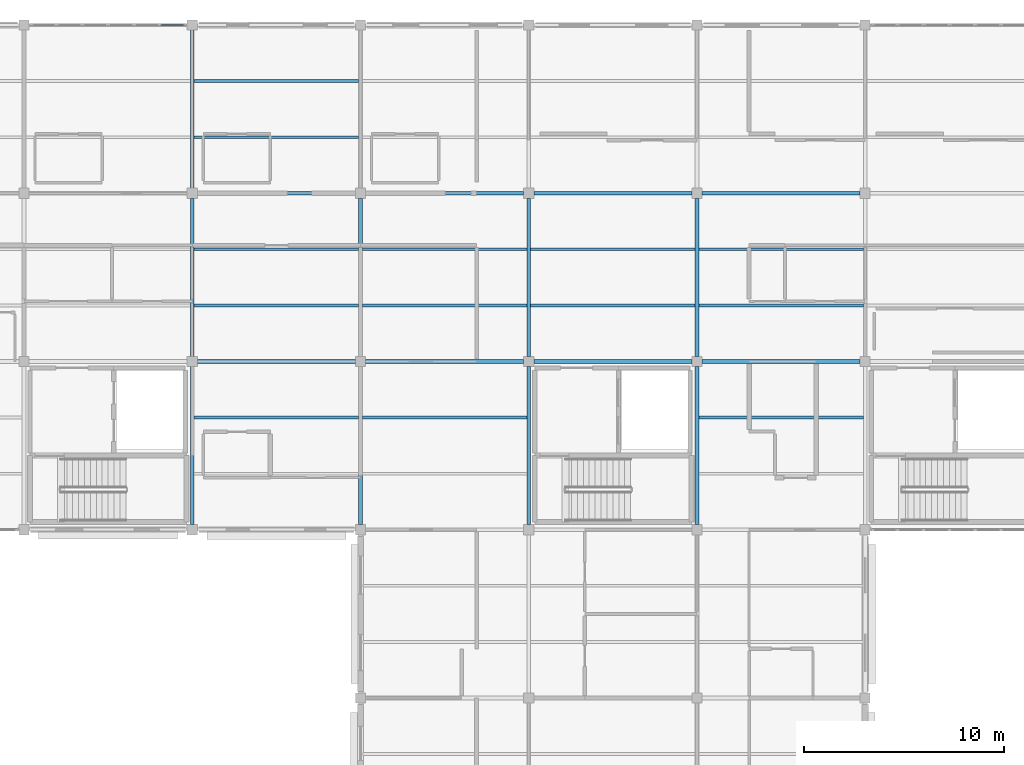
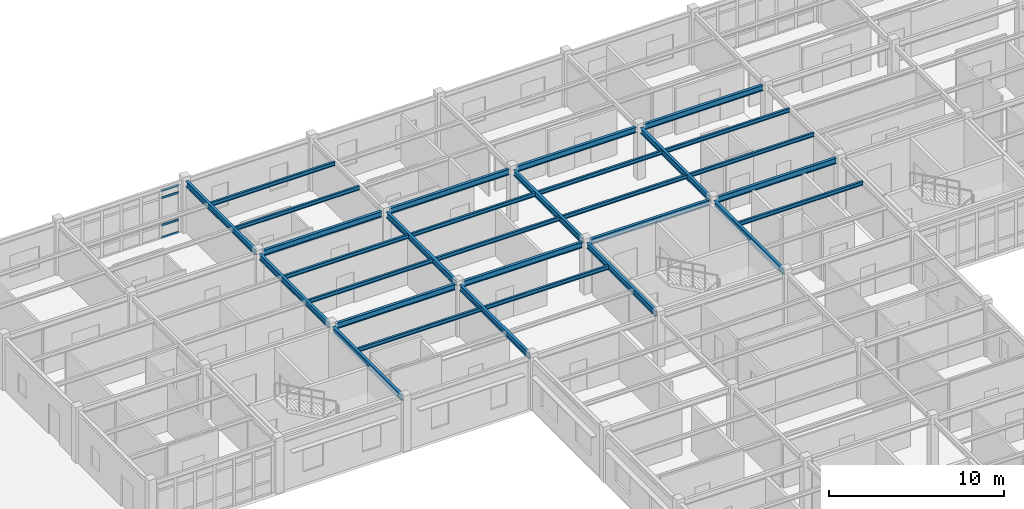
# One storey, part 17 of 53: 30 beams, 4 members, 1 element without a shape of its own.
"""IFC4 building model written with IfcOpenShell, lengths in metres."""

from ifc_helpers import new_model, si_unit, direction, frame, origin, origin_2d, place, context, subcontext, project, spatial, hollow_rectangle, i_section, extrude, material, layer, layer_set, material_profile, profile_set, type_object, element, aggregate, save


model = new_model("IFC4")

# Units and contexts
model_context = context("Model", 3, precision=1e-05, world=origin(), true_north=direction((0.0, 1.0)))
body_context = subcontext(model_context, "Body", "Model", "MODEL_VIEW")
ifc_project = project(units=[si_unit("LENGTHUNIT", "METRE"), si_unit("AREAUNIT", "SQUARE_METRE"), si_unit("VOLUMEUNIT", "CUBIC_METRE"), si_unit("PLANEANGLEUNIT", "RADIAN"), si_unit("MASSUNIT", "GRAM", prefix="KILO")], contexts=[model_context])

# Site, building, storey
site_placement = place(None, origin())
site = spatial("IfcSite", under=ifc_project, at=site_placement, CompositionType="ELEMENT")
building_placement = place(site_placement, origin())
building = spatial("IfcBuilding", under=site, at=building_placement, Name="Bramfleet General Hospital", CompositionType="ELEMENT")
storey_placement = place(building_placement, frame((0.0, 0.0, 26.39990234375)))
storey = spatial("IfcBuildingStorey", under=building, at=storey_placement, Name="L06", CompositionType="ELEMENT", Elevation=26.39990234375)

# Beams
ifc_material_1 = material(Name="Steel S355", Category="steel")
ifc_material_profile_1 = material_profile(ifc_material_1, i_section(OverallWidth=0.135009765625, OverallDepth=0.27001953125, WebThickness=0.006591796875, FlangeThickness=0.01025390625, FilletRadius=0.014892578125, at=origin_2d()), Name="IPE 270")
ifc_profile_set_1 = profile_set([ifc_material_profile_1], Name="Steel S355")
beam_type_1 = type_object("IfcBeamType", Name="BM-IPE270", PredefinedType="JOIST", material=ifc_profile_set_1)
for number, where, z_axis, x_axis, name in (
    (1, (84.090087890625, 98.0, 3.485107421875), (1.0, 0.0, 0.0), (0.0, 1.0, 0.0), "L06 Secondary Joist 10-11-2"),
    (2, (84.090087890625, 103.60009765625, 3.485107421875), (1.0, 0.0, 0.0), (0.0, 1.0, 0.0), "L06 Secondary Joist 10-12-1"),
    (3, (84.090087890625, 106.39990234375, 3.485107421875), (1.0, 0.0, 0.0), (0.0, 1.0, 0.0), "L06 Secondary Joist 10-12-2"),
    (4, (84.090087890625, 112.0, 3.485107421875), (1.0, 0.0, 0.0), (0.0, 1.0, 0.0), "L06 Secondary Joist 10-13-1"),
    (5, (84.090087890625, 114.800048828125, 3.485107421875), (1.0, 0.0, 0.0), (0.0, 1.0, 0.0), "L06 Secondary Joist 10-13-2"),
    (6, (92.489990234375, 98.0, 3.485107421875), (1.0, 0.0, 0.0), (0.0, 1.0, 0.0), "L06 Secondary Joist 11-11-2"),
    (7, (92.489990234375, 103.60009765625, 3.485107421875), (1.0, 0.0, 0.0), (0.0, 1.0, 0.0), "L06 Secondary Joist 11-12-1"),
    (8, (92.489990234375, 106.39990234375, 3.485107421875), (1.0, 0.0, 0.0), (0.0, 1.0, 0.0), "L06 Secondary Joist 11-12-2"),
):
    element("IfcBeam", number, at=place(storey_placement, frame(where, z_axis=z_axis, x_axis=x_axis)), inside=storey, type_object=beam_type_1, Name=name, PredefinedType="JOIST", context=body_context, shape_type="SweptSolid", body=[
        extrude(i_section(OverallWidth=0.135009765625, OverallDepth=0.27001953125, WebThickness=0.006591796875, FlangeThickness=0.01025390625, FilletRadius=0.014892578125, at=origin_2d()), origin(), (0.0, 0.0, 1.0), 8.219970703125),
    ])
for number, where, z_axis, x_axis, name in (
    (9, (100.889892578125, 103.60009765625, 3.485107421875), (1.0, 0.0, 0.0), (0.0, 1.0, 0.0), "L06 Secondary Joist 12-12-1"),
    (10, (100.889892578125, 106.39990234375, 3.485107421875), (1.0, 0.0, 0.0), (0.0, 1.0, 0.0), "L06 Secondary Joist 12-12-2"),
):
    element("IfcBeam", number, at=place(storey_placement, frame(where, z_axis=z_axis, x_axis=x_axis)), inside=storey, type_object=beam_type_1, Name=name, PredefinedType="JOIST", context=body_context, shape_type="SweptSolid", body=[
        extrude(i_section(OverallWidth=0.135009765625, OverallDepth=0.27001953125, WebThickness=0.006591796875, FlangeThickness=0.01025390625, FilletRadius=0.014892578125, at=origin_2d()), origin(), (0.0, 0.0, 1.0), 8.22021484375),
    ])
for number, where, z_axis, x_axis, name in (
    (11, (109.2900390625, 98.0, 3.485107421875), (1.0, 0.0, 0.0), (0.0, 1.0, 0.0), "L06 Secondary Joist 13-11-2"),
    (12, (109.2900390625, 103.60009765625, 3.485107421875), (1.0, 0.0, 0.0), (0.0, 1.0, 0.0), "L06 Secondary Joist 13-12-1"),
    (13, (109.2900390625, 106.39990234375, 3.485107421875), (1.0, 0.0, 0.0), (0.0, 1.0, 0.0), "L06 Secondary Joist 13-12-2"),
):
    element("IfcBeam", number, at=place(storey_placement, frame(where, z_axis=z_axis, x_axis=x_axis)), inside=storey, type_object=beam_type_1, Name=name, PredefinedType="JOIST", context=body_context, shape_type="SweptSolid", body=[
        extrude(i_section(OverallWidth=0.135009765625, OverallDepth=0.27001953125, WebThickness=0.006591796875, FlangeThickness=0.01025390625, FilletRadius=0.014892578125, at=origin_2d()), origin(), (0.0, 0.0, 1.0), 8.219970703125),
    ])
ifc_material_profile_2 = material_profile(ifc_material_1, i_section(OverallWidth=0.179931640625, OverallDepth=0.39990234375, WebThickness=0.008544921875, FlangeThickness=0.013427734375, FilletRadius=0.02099609375, at=origin_2d()), Name="IPE 400")
ifc_profile_set_2 = profile_set([ifc_material_profile_2], Name="Steel S355")
beam_type_2 = type_object("IfcBeamType", Name="BM-IPE400", PredefinedType="BEAM", material=ifc_profile_set_2)
for number, where, z_axis, x_axis, name in (
    (14, (84.25, 100.800048828125, 3.420166015625), (1.0, 0.0, 0.0), (0.0, 1.0, 0.0), "L06 Grid Beam X 10-12"),
    (15, (84.25, 109.199951171875, 3.420166015625), (1.0, 0.0, 0.0), (0.0, 1.0, 0.0), "L06 Grid Beam X 10-13"),
):
    element("IfcBeam", number, at=place(storey_placement, frame(where, z_axis=z_axis, x_axis=x_axis)), inside=storey, type_object=beam_type_2, Name=name, PredefinedType="BEAM", context=body_context, shape_type="SweptSolid", body=[
        extrude(i_section(OverallWidth=0.179931640625, OverallDepth=0.39990234375, WebThickness=0.008544921875, FlangeThickness=0.013427734375, FilletRadius=0.02099609375, at=origin_2d()), origin(), (0.0, 0.0, 1.0), 7.89990234375),
    ])
for number, where, z_axis, x_axis, name in (
    (16, (92.64990234375, 100.800048828125, 3.420166015625), (1.0, 0.0, 0.0), (0.0, 1.0, 0.0), "L06 Grid Beam X 11-12"),
    (17, (92.64990234375, 109.199951171875, 3.420166015625), (1.0, 0.0, 0.0), (0.0, 1.0, 0.0), "L06 Grid Beam X 11-13"),
):
    element("IfcBeam", number, at=place(storey_placement, frame(where, z_axis=z_axis, x_axis=x_axis)), inside=storey, type_object=beam_type_2, Name=name, PredefinedType="BEAM", context=body_context, shape_type="SweptSolid", body=[
        extrude(i_section(OverallWidth=0.179931640625, OverallDepth=0.39990234375, WebThickness=0.008544921875, FlangeThickness=0.013427734375, FilletRadius=0.02099609375, at=origin_2d()), origin(), (0.0, 0.0, 1.0), 7.900146484375),
    ])
for number, where, z_axis, x_axis, name in (
    (18, (101.050048828125, 100.800048828125, 3.420166015625), (1.0, 0.0, 0.0), (0.0, 1.0, 0.0), "L06 Grid Beam X 12-12"),
    (19, (101.050048828125, 109.199951171875, 3.420166015625), (1.0, 0.0, 0.0), (0.0, 1.0, 0.0), "L06 Grid Beam X 12-13"),
):
    element("IfcBeam", number, at=place(storey_placement, frame(where, z_axis=z_axis, x_axis=x_axis)), inside=storey, type_object=beam_type_2, Name=name, PredefinedType="BEAM", context=body_context, shape_type="SweptSolid", body=[
        extrude(i_section(OverallWidth=0.179931640625, OverallDepth=0.39990234375, WebThickness=0.008544921875, FlangeThickness=0.013427734375, FilletRadius=0.02099609375, at=origin_2d()), origin(), (0.0, 0.0, 1.0), 7.89990234375),
    ])
for number, where, z_axis, x_axis, name in (
    (20, (109.449951171875, 100.800048828125, 3.420166015625), (1.0, 0.0, 0.0), (0.0, 1.0, 0.0), "L06 Grid Beam X 13-12"),
    (21, (109.449951171875, 109.199951171875, 3.420166015625), (1.0, 0.0, 0.0), (0.0, 1.0, 0.0), "L06 Grid Beam X 13-13"),
    (22, (84.0, 92.64990234375, 3.420166015625), (0.0, 1.0, 0.0), (-1.0, 0.0, 0.0), "L06 Grid Beam Y 10-11"),
):
    element("IfcBeam", number, at=place(storey_placement, frame(where, z_axis=z_axis, x_axis=x_axis)), inside=storey, type_object=beam_type_2, Name=name, PredefinedType="BEAM", context=body_context, shape_type="SweptSolid", body=[
        extrude(i_section(OverallWidth=0.179931640625, OverallDepth=0.39990234375, WebThickness=0.008544921875, FlangeThickness=0.013427734375, FilletRadius=0.02099609375, at=origin_2d()), origin(), (0.0, 0.0, 1.0), 7.900146484375),
    ])
beam_1_placement = place(storey_placement, frame((84.0, 101.050048828125, 3.420166015625), z_axis=(0.0, 1.0, 0.0), x_axis=(-1.0, 0.0, 0.0)))
element("IfcBeam", 23, at=beam_1_placement, inside=storey, type_object=beam_type_2, Name="L06 Grid Beam Y 10-12", PredefinedType="BEAM", context=body_context, shape_type="SweptSolid", body=[
    extrude(i_section(OverallWidth=0.179931640625, OverallDepth=0.39990234375, WebThickness=0.008544921875, FlangeThickness=0.013427734375, FilletRadius=0.02099609375, at=origin_2d()), origin(), (0.0, 0.0, 1.0), 7.89990234375),
])
for number, where, z_axis, x_axis, name in (
    (24, (84.0, 109.449951171875, 3.420166015625), (0.0, 1.0, 0.0), (-1.0, 0.0, 0.0), "L06 Grid Beam Y 10-13"),
    (25, (92.39990234375, 92.64990234375, 3.420166015625), (0.0, 1.0, 0.0), (-1.0, 0.0, 0.0), "L06 Grid Beam Y 11-11"),
):
    element("IfcBeam", number, at=place(storey_placement, frame(where, z_axis=z_axis, x_axis=x_axis)), inside=storey, type_object=beam_type_2, Name=name, PredefinedType="BEAM", context=body_context, shape_type="SweptSolid", body=[
        extrude(i_section(OverallWidth=0.179931640625, OverallDepth=0.39990234375, WebThickness=0.008544921875, FlangeThickness=0.013427734375, FilletRadius=0.02099609375, at=origin_2d()), origin(), (0.0, 0.0, 1.0), 7.900146484375),
    ])
beam_2_placement = place(storey_placement, frame((92.39990234375, 101.050048828125, 3.420166015625), z_axis=(0.0, 1.0, 0.0), x_axis=(-1.0, 0.0, 0.0)))
element("IfcBeam", 26, at=beam_2_placement, inside=storey, type_object=beam_type_2, Name="L06 Grid Beam Y 11-12", PredefinedType="BEAM", context=body_context, shape_type="SweptSolid", body=[
    extrude(i_section(OverallWidth=0.179931640625, OverallDepth=0.39990234375, WebThickness=0.008544921875, FlangeThickness=0.013427734375, FilletRadius=0.02099609375, at=origin_2d()), origin(), (0.0, 0.0, 1.0), 7.89990234375),
])
beam_3_placement = place(storey_placement, frame((100.800048828125, 92.64990234375, 3.420166015625), z_axis=(0.0, 1.0, 0.0), x_axis=(-1.0, 0.0, 0.0)))
element("IfcBeam", 27, at=beam_3_placement, inside=storey, type_object=beam_type_2, Name="L06 Grid Beam Y 12-11", PredefinedType="BEAM", context=body_context, shape_type="SweptSolid", body=[
    extrude(i_section(OverallWidth=0.179931640625, OverallDepth=0.39990234375, WebThickness=0.008544921875, FlangeThickness=0.013427734375, FilletRadius=0.02099609375, at=origin_2d()), origin(), (0.0, 0.0, 1.0), 7.900146484375),
])
beam_4_placement = place(storey_placement, frame((100.800048828125, 101.050048828125, 3.420166015625), z_axis=(0.0, 1.0, 0.0), x_axis=(-1.0, 0.0, 0.0)))
element("IfcBeam", 28, at=beam_4_placement, inside=storey, type_object=beam_type_2, Name="L06 Grid Beam Y 12-12", PredefinedType="BEAM", context=body_context, shape_type="SweptSolid", body=[
    extrude(i_section(OverallWidth=0.179931640625, OverallDepth=0.39990234375, WebThickness=0.008544921875, FlangeThickness=0.013427734375, FilletRadius=0.02099609375, at=origin_2d()), origin(), (0.0, 0.0, 1.0), 7.89990234375),
])
beam_5_placement = place(storey_placement, frame((109.199951171875, 92.64990234375, 3.420166015625), z_axis=(0.0, 1.0, 0.0), x_axis=(-1.0, 0.0, 0.0)))
element("IfcBeam", 29, at=beam_5_placement, inside=storey, type_object=beam_type_2, Name="L06 Grid Beam Y 13-11", PredefinedType="BEAM", context=body_context, shape_type="SweptSolid", body=[
    extrude(i_section(OverallWidth=0.179931640625, OverallDepth=0.39990234375, WebThickness=0.008544921875, FlangeThickness=0.013427734375, FilletRadius=0.02099609375, at=origin_2d()), origin(), (0.0, 0.0, 1.0), 7.900146484375),
])
beam_6_placement = place(storey_placement, frame((109.199951171875, 101.050048828125, 3.420166015625), z_axis=(0.0, 1.0, 0.0), x_axis=(-1.0, 0.0, 0.0)))
element("IfcBeam", 30, at=beam_6_placement, inside=storey, type_object=beam_type_2, Name="L06 Grid Beam Y 13-12", PredefinedType="BEAM", context=body_context, shape_type="SweptSolid", body=[
    extrude(i_section(OverallWidth=0.179931640625, OverallDepth=0.39990234375, WebThickness=0.008544921875, FlangeThickness=0.013427734375, FilletRadius=0.02099609375, at=origin_2d()), origin(), (0.0, 0.0, 1.0), 7.89990234375),
])

# Curtain wall, members
ifc_material_2 = material(Name="Anodised aluminium and low-E triple glazing", Category="aluminium")
ifc_layer = layer(ifc_material_2, 0.179931640625, Name="CWT-CW-16")
ifc_layer_set = layer_set([ifc_layer], Name="Anodised aluminium and low-E triple glazing")
curtain_wall_type = type_object("IfcCurtainWallType", Name="CWT-CW-16", PredefinedType="USERDEFINED", material=ifc_layer_set)
curtain_wall_placement = place(storey_placement, origin())
curtain_wall = element("IfcCurtainWall", 31, at=curtain_wall_placement, inside=storey, type_object=curtain_wall_type, Name="L06 Curtain Wall 214", ObjectType="Stick curtain wall", PredefinedType="USERDEFINED")
ifc_material_3 = material(Name="Anodised aluminium EN AW-6060", Category="aluminium")
ifc_material_profile_3 = material_profile(ifc_material_3, hollow_rectangle(XDim=0.06494140625, YDim=0.139892578125, WallThickness=0.00390625, at=origin_2d()), Name="ALU 140x65x4.0")
ifc_profile_set_3 = profile_set([ifc_material_profile_3], Name="Anodised aluminium EN AW-6060")
member_type = type_object("IfcMemberType", Name="CWT-ALU140", PredefinedType="USERDEFINED", material=ifc_profile_set_3)
member_1_placement = place(storey_placement, frame((82.418212890625, 117.60009765625, 0.03271484375), z_axis=(1.0, 0.0, 0.0), x_axis=(0.0, 1.0, 0.0)))
member_1 = element("IfcMember", 32, at=member_1_placement, type_object=member_type, Name="CW-16 transom 6.1", ObjectType="TRANSOM", PredefinedType="USERDEFINED", context=body_context, shape_type="SweptSolid", body=[
    extrude(hollow_rectangle(XDim=0.06494140625, YDim=0.139892578125, WallThickness=0.00390625, at=origin_2d()), origin(), (0.0, 0.0, 1.0), 1.186767578125),
])
member_2_placement = place(storey_placement, frame((82.418212890625, 117.60009765625, 0.900146484375), z_axis=(1.0, 0.0, 0.0), x_axis=(0.0, 1.0, 0.0)))
member_2 = element("IfcMember", 33, at=member_2_placement, type_object=member_type, Name="CW-16 transom 6.2", ObjectType="TRANSOM", PredefinedType="USERDEFINED", context=body_context, shape_type="SweptSolid", body=[
    extrude(hollow_rectangle(XDim=0.06494140625, YDim=0.139892578125, WallThickness=0.00390625, at=origin_2d()), origin(), (0.0, 0.0, 1.0), 1.186767578125),
])
member_3_placement = place(storey_placement, frame((82.418212890625, 117.60009765625, 2.81005859375), z_axis=(1.0, 0.0, 0.0), x_axis=(0.0, 1.0, 0.0)))
member_3 = element("IfcMember", 34, at=member_3_placement, type_object=member_type, Name="CW-16 transom 6.3", ObjectType="TRANSOM", PredefinedType="USERDEFINED", context=body_context, shape_type="SweptSolid", body=[
    extrude(hollow_rectangle(XDim=0.06494140625, YDim=0.139892578125, WallThickness=0.00390625, at=origin_2d()), origin(), (0.0, 0.0, 1.0), 1.186767578125),
])
member_4_placement = place(storey_placement, frame((82.418212890625, 117.60009765625, 3.32763671875), z_axis=(1.0, 0.0, 0.0), x_axis=(0.0, 1.0, 0.0)))
member_4 = element("IfcMember", 35, at=member_4_placement, type_object=member_type, Name="CW-16 transom 6.4", ObjectType="TRANSOM", PredefinedType="USERDEFINED", context=body_context, shape_type="SweptSolid", body=[
    extrude(hollow_rectangle(XDim=0.06494140625, YDim=0.139892578125, WallThickness=0.00390625, at=origin_2d()), origin(), (0.0, 0.0, 1.0), 1.186767578125),
])
aggregate(curtain_wall, [member_1, member_2, member_3, member_4])

save(model, "model.ifc")
